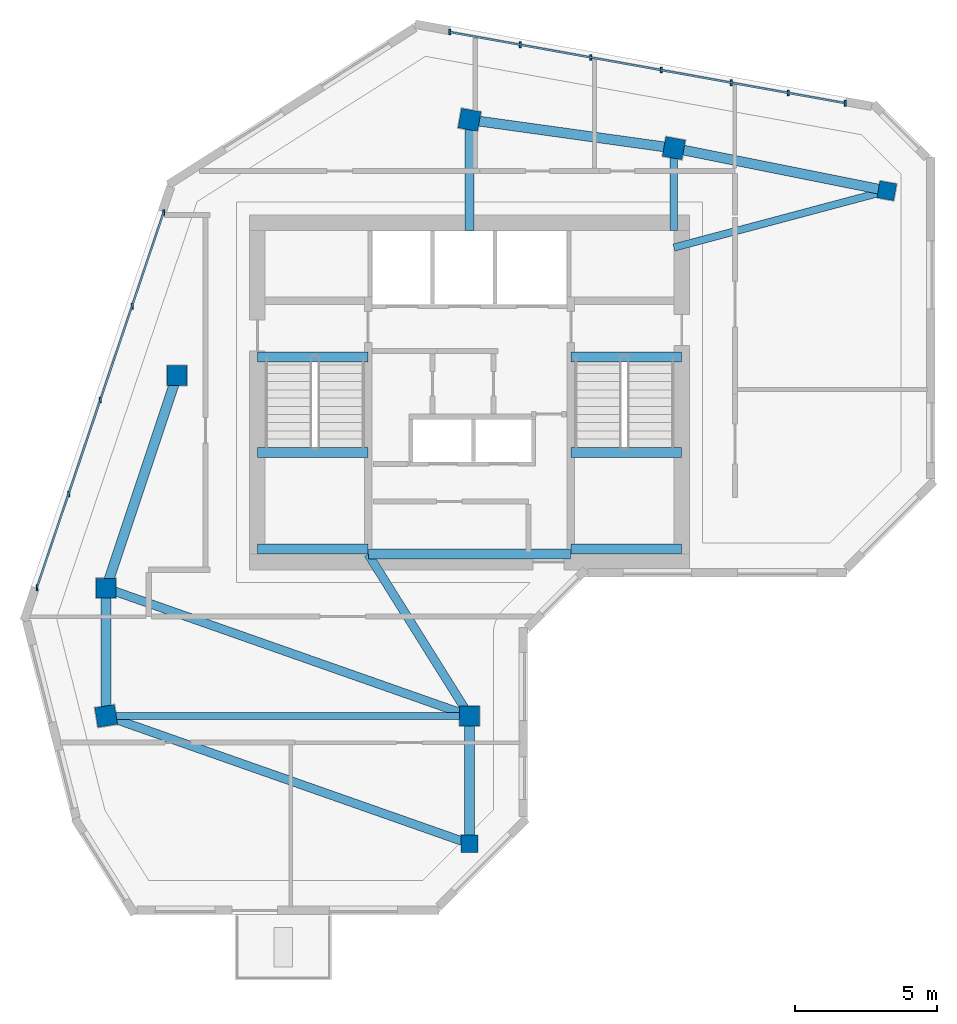
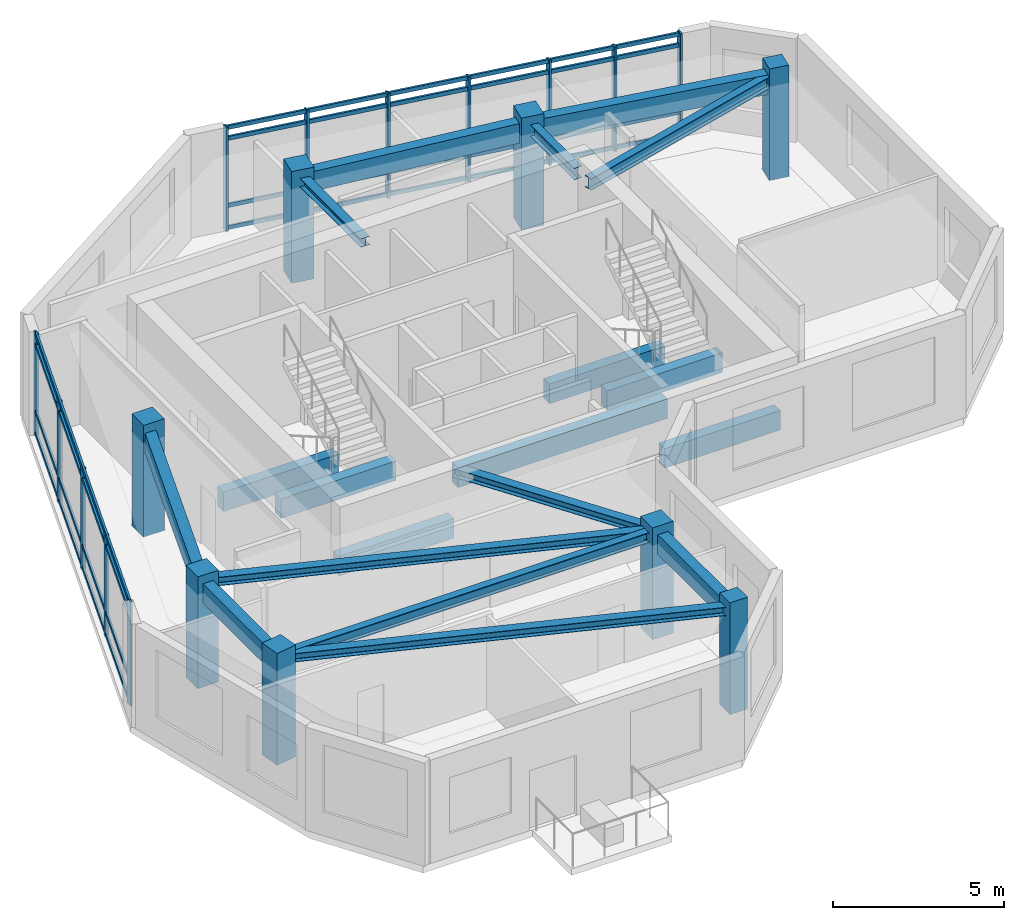
# One storey, part 1 of 8: 20 members, 19 beams, 8 columns, 2 elements without a shape of their own.
"""IFC4 building model written with IfcOpenShell, lengths in metres."""

from ifc_helpers import new_model, si_unit, direction, frame, origin, origin_2d, place, context, subcontext, project, spatial, rectangle, i_section, extrude, source, transform, mapped, material, material_profile, profile_set, type_object, element, aggregate, save


model = new_model("IFC4")

# Units and contexts
model_context = context("Model", 3, precision=1e-05, world=origin(), true_north=direction((0.0, 1.0)))
body_context = subcontext(model_context, "Body", "Model", "MODEL_VIEW")
ifc_project = project(units=[si_unit("LENGTHUNIT", "METRE"), si_unit("AREAUNIT", "SQUARE_METRE"), si_unit("VOLUMEUNIT", "CUBIC_METRE"), si_unit("PLANEANGLEUNIT", "RADIAN"), si_unit("MASSUNIT", "GRAM", prefix="KILO")], contexts=[model_context])

# Site, building, storey
site_placement = place(None, origin())
site = spatial("IfcSite", under=ifc_project, at=site_placement, CompositionType="ELEMENT")
building_placement = place(site_placement, origin())
building = spatial("IfcBuilding", under=site, at=building_placement, Name="Calvemar Wedge Station Tower", CompositionType="ELEMENT")
storey_placement = place(building_placement, frame((0.0, 0.0, 300.5)))
storey = spatial("IfcBuildingStorey", under=building, at=storey_placement, Name="L77", CompositionType="ELEMENT", Elevation=300.5)

# Columns
ifc_material_1 = material(Name="Concrete C50", Category="concrete")
ifc_material_profile_1 = material_profile(ifc_material_1, rectangle(XDim=0.699951171875, YDim=0.699951171875, at=origin_2d()), Name="RC700x700")
ifc_profile_set_1 = profile_set([ifc_material_profile_1], Name="Concrete C50")
column_type_1 = type_object("IfcColumnType", Name="COL-C7-700", PredefinedType="COLUMN", material=ifc_profile_set_1)
shared_shape_1 = source(origin(), body_context, "Body", "SweptSolid", [
    extrude(rectangle(XDim=0.699951171875, YDim=0.699951171875, at=origin_2d()), origin(), (0.0, 0.0, 1.0), 4.0),
])
for number, where, z_axis, x_axis, name in (
    (1, (11.0, 33.0, 0.0), (0.0, 0.0, 1.0), (1.0, 0.0, 0.0), "Storey L77 Column T-NW1"),
    (2, (13.5, 40.5, 0.0), (0.0, 0.0, 1.0), (1.0, 0.0, 0.0), "Storey L77 Column T-NW2"),
    (3, (23.800048828125, 49.5, 0.0), (0.0, 0.0, 1.0), (0.984195607969, -0.17708474032, 0.0), "Storey L77 Column T-N1"),
    (4, (31.0, 48.5, 0.0), (0.0, 0.0, 1.0), (0.984195607969, -0.17708474032, 0.0), "Storey L77 Column T-N2"),
    (5, (11.0, 28.5, 0.0), (0.0, 0.0, 1.0), (0.158158067254, -0.987413806751, 0.0), "Storey L77 Column T-SW1"),
    (6, (23.800048828125, 28.5, 0.0), (0.0, 0.0, 1.0), (1.0, 0.0, 0.0), "Storey L77 Column T-SE1"),
):
    element("IfcColumn", number, at=place(storey_placement, frame(where, z_axis=z_axis, x_axis=x_axis)), inside=storey, type_object=column_type_1, Name=name, PredefinedType="COLUMN", context=body_context, shape_type="MappedRepresentation", body=[
        mapped(shared_shape_1, transform((0.0, 0.0, 0.0), scale=1.0)),
    ])
ifc_material_profile_2 = material_profile(ifc_material_1, rectangle(XDim=0.60009765625, YDim=0.60009765625, at=origin_2d()), Name="RC600x600")
ifc_profile_set_2 = profile_set([ifc_material_profile_2], Name="Concrete C50")
column_type_2 = type_object("IfcColumnType", Name="COL-C8-600", PredefinedType="COLUMN", material=ifc_profile_set_2)
shared_shape_2 = source(origin(), body_context, "Body", "SweptSolid", [
    extrude(rectangle(XDim=0.60009765625, YDim=0.60009765625, at=origin_2d()), origin(), (0.0, 0.0, 1.0), 4.0),
])
for number, where, z_axis, x_axis, name in (
    (7, (38.5, 47.0, 0.0), (0.0, 0.0, 1.0), (0.984195607969, -0.17708474032, 0.0), "Storey L77 Column T-NU3"),
    (8, (23.800048828125, 24.0, 0.0), (0.0, 0.0, 1.0), (1.0, 0.0, 0.0), "Storey L77 Column T-SE2"),
):
    element("IfcColumn", number, at=place(storey_placement, frame(where, z_axis=z_axis, x_axis=x_axis)), inside=storey, type_object=column_type_2, Name=name, PredefinedType="COLUMN", context=body_context, shape_type="MappedRepresentation", body=[
        mapped(shared_shape_2, transform((0.0, 0.0, 0.0), scale=1.0)),
    ])

# Beams
ifc_material_2 = material(Name="Concrete C70", Category="concrete")
ifc_material_profile_3 = material_profile(ifc_material_2, rectangle(XDim=0.35009765625, YDim=0.699951171875, at=origin_2d()), Name="RC350x700")
ifc_profile_set_3 = profile_set([ifc_material_profile_3], Name="Concrete C70")
beam_type_1 = type_object("IfcBeamType", Name="BM-LN1-700", PredefinedType="LINTEL", material=ifc_profile_set_3)
shared_shape_3 = source(origin(), body_context, "Body", "SweptSolid", [
    extrude(rectangle(XDim=0.35009765625, YDim=0.699951171875, at=origin_2d()), origin(), (0.0, 0.0, 1.0), 7.10009765625),
])
beam_1_placement = place(storey_placement, frame((20.25, 34.199951171875, 3.35009765625), z_axis=(1.0, 0.0, 0.0), x_axis=(0.0, 1.0, 0.0)))
element("IfcBeam", 9, at=beam_1_placement, inside=storey, type_object=beam_type_1, Name="Storey L77 Core Coupling Lintel South", PredefinedType="LINTEL", context=body_context, shape_type="MappedRepresentation", body=[
    mapped(shared_shape_3, transform((0.0, 0.0, 0.0), scale=1.0)),
])
ifc_material_3 = material(Name="Structural steel ASTM A572 Grade 50", Category="steel")
ifc_material_profile_4 = material_profile(ifc_material_3, i_section(OverallWidth=0.304931640625, OverallDepth=0.30810546875, WebThickness=0.010009765625, FlangeThickness=0.015380859375, FilletRadius=0.014892578125, at=origin_2d()), Name="W310x97")
ifc_profile_set_4 = profile_set([ifc_material_profile_4], Name="Structural steel ASTM A572 Grade 50")
beam_type_2 = type_object("IfcBeamType", Name="BM-J6-W310", PredefinedType="JOIST", material=ifc_profile_set_4)
shared_shape_4 = source(origin(), body_context, "Body", "SweptSolid", [
    extrude(i_section(OverallWidth=0.304931640625, OverallDepth=0.30810546875, WebThickness=0.010009765625, FlangeThickness=0.015380859375, FilletRadius=0.014892578125, at=origin_2d()), origin(), (0.0, 0.0, 1.0), 13.568115234375),
])
for number, where, z_axis, x_axis, name in (
    (10, (11.0, 33.0, 3.5458984375), (0.943398221169, -0.331662171939, 0.0), (0.331662171939, 0.943398221169, 0.0), "Storey L77 Floor Beam T-NW1-T-SE1"),
    (11, (11.0, 28.5, 3.5458984375), (0.943398221169, -0.331662171939, 0.0), (0.331662171939, 0.943398221169, 0.0), "Storey L77 Floor Beam T-SW1-T-SE2"),
):
    element("IfcBeam", number, at=place(storey_placement, frame(where, z_axis=z_axis, x_axis=x_axis)), inside=storey, type_object=beam_type_2, Name=name, PredefinedType="JOIST", context=body_context, shape_type="MappedRepresentation", body=[
        mapped(shared_shape_4, transform((0.0, 0.0, 0.0), scale=1.0)),
    ])
ifc_material_profile_5 = material_profile(ifc_material_3, i_section(OverallWidth=0.260986328125, OverallDepth=0.419921875, WebThickness=0.01171875, FlangeThickness=0.019287109375, FilletRadius=0.012939453125, at=origin_2d()), Name="W410x114")
ifc_profile_set_5 = profile_set([ifc_material_profile_5], Name="Structural steel ASTM A572 Grade 50")
beam_type_3 = type_object("IfcBeamType", Name="BM-J2-W410H", PredefinedType="JOIST", material=ifc_profile_set_5)
shared_shape_5 = source(origin(), body_context, "Body", "SweptSolid", [
    extrude(i_section(OverallWidth=0.260986328125, OverallDepth=0.419921875, WebThickness=0.01171875, FlangeThickness=0.019287109375, FilletRadius=0.012939453125, at=origin_2d()), origin(), (0.0, 0.0, 1.0), 7.76220703125),
])
beam_2_placement = place(storey_placement, frame((31.0, 45.0, 3.489990234375), z_axis=(0.966234939601, 0.25766265056, 0.0), x_axis=(-0.25766265056, 0.966234939601, 0.0)))
element("IfcBeam", 12, at=beam_2_placement, inside=storey, type_object=beam_type_3, Name="Storey L77 Core-to-Column Joist CJ-E2", PredefinedType="JOIST", context=body_context, shape_type="MappedRepresentation", body=[
    mapped(shared_shape_5, transform((0.0, 0.0, 0.0), scale=1.0)),
])
shared_shape_6 = source(origin(), body_context, "Body", "SweptSolid", [
    extrude(i_section(OverallWidth=0.304931640625, OverallDepth=0.30810546875, WebThickness=0.010009765625, FlangeThickness=0.015380859375, FilletRadius=0.014892578125, at=origin_2d()), origin(), (0.0, 0.0, 1.0), 3.89990234375),
])
beam_3_placement = place(storey_placement, frame((23.800048828125, 45.60009765625, 3.5458984375), z_axis=(0.0, 1.0, 0.0), x_axis=(-1.0, 0.0, 0.0)))
element("IfcBeam", 13, at=beam_3_placement, inside=storey, type_object=beam_type_2, Name="Storey L77 Core-to-Column Joist CJ-N1", PredefinedType="JOIST", context=body_context, shape_type="MappedRepresentation", body=[
    mapped(shared_shape_6, transform((0.0, 0.0, 0.0), scale=1.0)),
])
shared_shape_7 = source(origin(), body_context, "Body", "SweptSolid", [
    extrude(i_section(OverallWidth=0.260986328125, OverallDepth=0.419921875, WebThickness=0.01171875, FlangeThickness=0.019287109375, FilletRadius=0.012939453125, at=origin_2d()), origin(), (0.0, 0.0, 1.0), 2.89990234375),
])
beam_4_placement = place(storey_placement, frame((31.0, 45.60009765625, 3.489990234375), z_axis=(0.0, 1.0, 0.0), x_axis=(-1.0, 0.0, 0.0)))
element("IfcBeam", 14, at=beam_4_placement, inside=storey, type_object=beam_type_3, Name="Storey L77 Core-to-Column Joist CJ-N2", PredefinedType="JOIST", context=body_context, shape_type="MappedRepresentation", body=[
    mapped(shared_shape_7, transform((0.0, 0.0, 0.0), scale=1.0)),
])
shared_shape_8 = source(origin(), body_context, "Body", "SweptSolid", [
    extrude(i_section(OverallWidth=0.304931640625, OverallDepth=0.30810546875, WebThickness=0.010009765625, FlangeThickness=0.015380859375, FilletRadius=0.014892578125, at=origin_2d()), origin(), (0.0, 0.0, 1.0), 6.7255859375),
])
beam_5_placement = place(storey_placement, frame((20.22998046875, 34.199951171875, 3.5458984375), z_axis=(0.530811158438, -0.847490126242, 0.0), x_axis=(0.847490126242, 0.530811158438, 0.0)))
element("IfcBeam", 15, at=beam_5_placement, inside=storey, type_object=beam_type_2, Name="Storey L77 Core-to-Column Joist CJ-S2", PredefinedType="JOIST", context=body_context, shape_type="MappedRepresentation", body=[
    mapped(shared_shape_8, transform((0.0, 0.0, 0.0), scale=1.0)),
])
ifc_material_profile_6 = material_profile(ifc_material_1, rectangle(XDim=0.35009765625, YDim=0.699951171875, at=origin_2d()), Name="RC350x700")
ifc_profile_set_6 = profile_set([ifc_material_profile_6], Name="Concrete C50")
beam_type_4 = type_object("IfcBeamType", Name="BM-SP2-700", PredefinedType="SPANDREL", material=ifc_profile_set_6)
shared_shape_9 = source(origin(), body_context, "Body", "SweptSolid", [
    extrude(rectangle(XDim=0.35009765625, YDim=0.699951171875, at=origin_2d()), origin(), (0.0, 0.0, 1.0), 7.90576171875),
])
beam_6_placement = place(storey_placement, frame((11.0, 33.0, 3.35009765625), z_axis=(0.316227766017, 0.948683298051, 0.0), x_axis=(-0.948683298051, 0.316227766017, 0.0)))
element("IfcBeam", 16, at=beam_6_placement, inside=storey, type_object=beam_type_4, Name="Storey L77 Spandrel T-NW1-T-NW2", PredefinedType="SPANDREL", context=body_context, shape_type="MappedRepresentation", body=[
    mapped(shared_shape_9, transform((0.0, 0.0, 0.0), scale=1.0)),
])
shared_shape_10 = source(origin(), body_context, "Body", "SweptSolid", [
    extrude(rectangle(XDim=0.35009765625, YDim=0.699951171875, at=origin_2d()), origin(), (0.0, 0.0, 1.0), 7.26904296875),
])
beam_7_placement = place(storey_placement, frame((23.800048828125, 49.5, 3.35009765625), z_axis=(0.990492146053, -0.13756928657, 0.0), x_axis=(0.13756928657, 0.990492146053, 0.0)))
element("IfcBeam", 17, at=beam_7_placement, inside=storey, type_object=beam_type_4, Name="Storey L77 Spandrel T-N1-T-N2", PredefinedType="SPANDREL", context=body_context, shape_type="MappedRepresentation", body=[
    mapped(shared_shape_10, transform((0.0, 0.0, 0.0), scale=1.0)),
])
shared_shape_11 = source(origin(), body_context, "Body", "SweptSolid", [
    extrude(rectangle(XDim=0.35009765625, YDim=0.699951171875, at=origin_2d()), origin(), (0.0, 0.0, 1.0), 7.6484375),
])
beam_8_placement = place(storey_placement, frame((31.0, 48.5, 3.35009765625), z_axis=(0.980580675691, -0.196116135138, 0.0), x_axis=(0.196116135138, 0.980580675691, 0.0)))
element("IfcBeam", 18, at=beam_8_placement, inside=storey, type_object=beam_type_4, Name="Storey L77 Spandrel T-N2-T-NU3", PredefinedType="SPANDREL", context=body_context, shape_type="MappedRepresentation", body=[
    mapped(shared_shape_11, transform((0.0, 0.0, 0.0), scale=1.0)),
])
shared_shape_12 = source(origin(), body_context, "Body", "SweptSolid", [
    extrude(rectangle(XDim=0.35009765625, YDim=0.699951171875, at=origin_2d()), origin(), (0.0, 0.0, 1.0), 4.5),
])
for number, where, z_axis, x_axis, name in (
    (19, (11.0, 33.0, 3.35009765625), (0.0, -1.0, 0.0), (1.0, 0.0, 0.0), "Storey L77 Spandrel T-NW1-T-SW1"),
    (20, (23.800048828125, 28.5, 3.35009765625), (0.0, -1.0, 0.0), (1.0, 0.0, 0.0), "Storey L77 Spandrel T-SE1-T-SE2"),
):
    element("IfcBeam", number, at=place(storey_placement, frame(where, z_axis=z_axis, x_axis=x_axis)), inside=storey, type_object=beam_type_4, Name=name, PredefinedType="SPANDREL", context=body_context, shape_type="MappedRepresentation", body=[
        mapped(shared_shape_12, transform((0.0, 0.0, 0.0), scale=1.0)),
    ])
shared_shape_13 = source(origin(), body_context, "Body", "SweptSolid", [
    extrude(rectangle(XDim=0.35009765625, YDim=0.699951171875, at=origin_2d()), origin(), (0.0, 0.0, 1.0), 3.905029296875),
])
for number, where, z_axis, x_axis, name in (
    (21, (16.324951171875, 41.14990234375, -0.35009765625), (1.0, 0.0, 0.0), (0.0, 1.0, 0.0), "Storey L77 Stair ST-C1 Landing Trimmer Beam"),
    (22, (16.324951171875, 34.3798828125, 1.449951171875), (1.0, 0.0, 0.0), (0.0, 1.0, 0.0), "Storey L77 Stair ST-C1 Half-Landing Beam 1A"),
    (23, (16.324951171875, 37.780029296875, 1.449951171875), (1.0, 0.0, 0.0), (0.0, 1.0, 0.0), "Storey L77 Stair ST-C1 Half-Landing Beam 1B"),
):
    element("IfcBeam", number, at=place(storey_placement, frame(where, z_axis=z_axis, x_axis=x_axis)), inside=storey, type_object=beam_type_1, Name=name, PredefinedType="LINTEL", context=body_context, shape_type="MappedRepresentation", body=[
        mapped(shared_shape_13, transform((0.0, 0.0, 0.0), scale=1.0)),
    ])
shared_shape_14 = source(origin(), body_context, "Body", "SweptSolid", [
    extrude(rectangle(XDim=0.35009765625, YDim=0.699951171875, at=origin_2d()), origin(), (0.0, 0.0, 1.0), 3.90478515625),
])
for number, where, z_axis, x_axis, name in (
    (24, (27.3701171875, 41.14990234375, -0.35009765625), (1.0, 0.0, 0.0), (0.0, 1.0, 0.0), "Storey L77 Stair ST-C2 Landing Trimmer Beam"),
    (25, (27.3701171875, 34.3798828125, 1.449951171875), (1.0, 0.0, 0.0), (0.0, 1.0, 0.0), "Storey L77 Stair ST-C2 Half-Landing Beam 1A"),
    (26, (27.3701171875, 37.780029296875, 1.449951171875), (1.0, 0.0, 0.0), (0.0, 1.0, 0.0), "Storey L77 Stair ST-C2 Half-Landing Beam 1B"),
):
    element("IfcBeam", number, at=place(storey_placement, frame(where, z_axis=z_axis, x_axis=x_axis)), inside=storey, type_object=beam_type_1, Name=name, PredefinedType="LINTEL", context=body_context, shape_type="MappedRepresentation", body=[
        mapped(shared_shape_14, transform((0.0, 0.0, 0.0), scale=1.0)),
    ])
ifc_material_profile_7 = material_profile(ifc_material_3, i_section(OverallWidth=0.257080078125, OverallDepth=0.363037109375, WebThickness=0.012939453125, FlangeThickness=0.021728515625, FilletRadius=0.014892578125, at=origin_2d()), Name="W360x122")
ifc_profile_set_7 = profile_set([ifc_material_profile_7], Name="Structural steel ASTM A572 Grade 50")
beam_type_5 = type_object("IfcBeamType", Name="BM-J4-W360", PredefinedType="JOIST", material=ifc_profile_set_7)
shared_shape_15 = source(origin(), body_context, "Body", "SweptSolid", [
    extrude(i_section(OverallWidth=0.257080078125, OverallDepth=0.363037109375, WebThickness=0.012939453125, FlangeThickness=0.021728515625, FilletRadius=0.014892578125, at=origin_2d()), origin(), (0.0, 0.0, 1.0), 12.800048828125),
])
beam_9_placement = place(storey_placement, frame((11.0, 28.5, 3.5185546875), z_axis=(1.0, 0.0, 0.0), x_axis=(0.0, 1.0, 0.0)))
element("IfcBeam", 27, at=beam_9_placement, inside=storey, type_object=beam_type_5, Name="Storey L77 Floor Beam T-SW1-T-SE1", PredefinedType="JOIST", context=body_context, shape_type="MappedRepresentation", body=[
    mapped(shared_shape_15, transform((0.0, 0.0, 0.0), scale=1.0)),
])

# Curtain wall, members
ifc_material_4 = material(Name="Anodised aluminium 6063-T6", Category="aluminium")
curtain_wall_type = type_object("IfcCurtainWallType", Name="CW4", PredefinedType="NOTDEFINED", material=ifc_material_4)
curtain_wall_1_placement = place(storey_placement, origin())
curtain_wall_1 = element("IfcCurtainWall", 28, at=curtain_wall_1_placement, inside=storey, type_object=curtain_wall_type, Name="Storey L77 CW4 Recessed Unitised Curtain Wall 10", PredefinedType="NOTDEFINED")
ifc_material_profile_8 = material_profile(ifc_material_4, rectangle(XDim=0.070068359375, YDim=0.139892578125, at=origin_2d()), Name="AL-TRN-70x140")
ifc_profile_set_8 = profile_set([ifc_material_profile_8], Name="Anodised aluminium 6063-T6")
member_type_1 = type_object("IfcMemberType", Name="CW4-TRN", PredefinedType="USERDEFINED", material=ifc_profile_set_8)
shared_shape_16 = source(origin(), body_context, "Body", "SweptSolid", [
    extrude(rectangle(XDim=0.070068359375, YDim=0.139892578125, at=origin_2d()), origin(), (0.0, 0.0, 1.0), 14.154296875),
])
member_1_placement = place(storey_placement, frame((37.033935546875, 50.084228515625, 0.06005859375), z_axis=(-0.984225338595, 0.17691942479, 0.0), x_axis=(-0.17691942479, -0.984225338595, 0.0)))
member_1 = element("IfcMember", 29, at=member_1_placement, type_object=member_type_1, Name="CW4 transom 1", ObjectType="TRANSOM", PredefinedType="USERDEFINED", context=body_context, shape_type="MappedRepresentation", body=[
    mapped(shared_shape_16, transform((0.0, 0.0, 0.0), scale=1.0)),
])
member_2_placement = place(storey_placement, frame((37.033935546875, 50.084228515625, 0.85009765625), z_axis=(-0.984225338595, 0.17691942479, 0.0), x_axis=(-0.17691942479, -0.984225338595, 0.0)))
member_2 = element("IfcMember", 30, at=member_2_placement, type_object=member_type_1, Name="CW4 transom 2", ObjectType="TRANSOM", PredefinedType="USERDEFINED", context=body_context, shape_type="MappedRepresentation", body=[
    mapped(shared_shape_16, transform((0.0, 0.0, 0.0), scale=1.0)),
])
member_3_placement = place(storey_placement, frame((37.033935546875, 50.084228515625, 3.25), z_axis=(-0.984225338595, 0.17691942479, 0.0), x_axis=(-0.17691942479, -0.984225338595, 0.0)))
member_3 = element("IfcMember", 31, at=member_3_placement, type_object=member_type_1, Name="CW4 transom 3", ObjectType="TRANSOM", PredefinedType="USERDEFINED", context=body_context, shape_type="MappedRepresentation", body=[
    mapped(shared_shape_16, transform((0.0, 0.0, 0.0), scale=1.0)),
])
member_4_placement = place(storey_placement, frame((37.033935546875, 50.084228515625, 3.639892578125), z_axis=(-0.984225338595, 0.17691942479, 0.0), x_axis=(-0.17691942479, -0.984225338595, 0.0)))
member_4 = element("IfcMember", 32, at=member_4_placement, type_object=member_type_1, Name="CW4 transom 4", ObjectType="TRANSOM", PredefinedType="USERDEFINED", context=body_context, shape_type="MappedRepresentation", body=[
    mapped(shared_shape_16, transform((0.0, 0.0, 0.0), scale=1.0)),
])

curtain_wall_2_placement = place(storey_placement, origin())
curtain_wall_2 = element("IfcCurtainWall", 33, at=curtain_wall_2_placement, inside=storey, type_object=curtain_wall_type, Name="Storey L77 CW4 Recessed Unitised Curtain Wall 12", PredefinedType="NOTDEFINED")
shared_shape_17 = source(origin(), body_context, "Body", "SweptSolid", [
    extrude(rectangle(XDim=0.070068359375, YDim=0.139892578125, at=origin_2d()), origin(), (0.0, 0.0, 1.0), 13.95703125),
])
member_5_placement = place(storey_placement, frame((13.030029296875, 46.240478515625, 0.06005859375), z_axis=(-0.319914475782, -0.947446424968, 0.0), x_axis=(0.947446424968, -0.319914475782, 0.0)))
member_5 = element("IfcMember", 34, at=member_5_placement, type_object=member_type_1, Name="CW4 transom 1", ObjectType="TRANSOM", PredefinedType="USERDEFINED", context=body_context, shape_type="MappedRepresentation", body=[
    mapped(shared_shape_17, transform((0.0, 0.0, 0.0), scale=1.0)),
])
member_6_placement = place(storey_placement, frame((13.030029296875, 46.240478515625, 0.85009765625), z_axis=(-0.319914475782, -0.947446424968, 0.0), x_axis=(0.947446424968, -0.319914475782, 0.0)))
member_6 = element("IfcMember", 35, at=member_6_placement, type_object=member_type_1, Name="CW4 transom 2", ObjectType="TRANSOM", PredefinedType="USERDEFINED", context=body_context, shape_type="MappedRepresentation", body=[
    mapped(shared_shape_17, transform((0.0, 0.0, 0.0), scale=1.0)),
])
member_7_placement = place(storey_placement, frame((13.030029296875, 46.240478515625, 3.25), z_axis=(-0.319914475782, -0.947446424968, 0.0), x_axis=(0.947446424968, -0.319914475782, 0.0)))
member_7 = element("IfcMember", 36, at=member_7_placement, type_object=member_type_1, Name="CW4 transom 3", ObjectType="TRANSOM", PredefinedType="USERDEFINED", context=body_context, shape_type="MappedRepresentation", body=[
    mapped(shared_shape_17, transform((0.0, 0.0, 0.0), scale=1.0)),
])
member_8_placement = place(storey_placement, frame((13.030029296875, 46.240478515625, 3.639892578125), z_axis=(-0.319914475782, -0.947446424968, 0.0), x_axis=(0.947446424968, -0.319914475782, 0.0)))
member_8 = element("IfcMember", 37, at=member_8_placement, type_object=member_type_1, Name="CW4 transom 4", ObjectType="TRANSOM", PredefinedType="USERDEFINED", context=body_context, shape_type="MappedRepresentation", body=[
    mapped(shared_shape_17, transform((0.0, 0.0, 0.0), scale=1.0)),
])

# Member
ifc_material_profile_9 = material_profile(ifc_material_4, rectangle(XDim=0.070068359375, YDim=0.199951171875, at=origin_2d()), Name="AL-MUL-70x200")
ifc_profile_set_9 = profile_set([ifc_material_profile_9], Name="Anodised aluminium 6063-T6")
member_type_2 = type_object("IfcMemberType", Name="CW4-MUL", PredefinedType="MULLION", material=ifc_profile_set_9)
shared_shape_18 = source(origin(), body_context, "Body", "SweptSolid", [
    extrude(rectangle(XDim=0.070068359375, YDim=0.199951171875, at=origin_2d()), origin(), (0.0, 0.0, 1.0), 3.75),
])
member_9_placement = place(storey_placement, frame((37.033935546875, 50.084228515625, -0.050048828125), z_axis=(0.0, 0.0, 1.0), x_axis=(1.0, 0.0, 0.0)))
member_9 = element("IfcMember", 38, at=member_9_placement, type_object=member_type_2, Name="CW4 mullion 1", PredefinedType="MULLION", context=body_context, shape_type="MappedRepresentation", body=[
    mapped(shared_shape_18, transform((0.0, 0.0, 0.0), scale=1.0)),
])

member_10_placement = place(storey_placement, frame((35.02783203125, 50.44482421875, -0.050048828125), z_axis=(0.0, 0.0, 1.0), x_axis=(1.0, 0.0, 0.0)))
member_10 = element("IfcMember", 39, at=member_10_placement, type_object=member_type_2, Name="CW4 mullion 2", PredefinedType="MULLION", context=body_context, shape_type="MappedRepresentation", body=[
    mapped(shared_shape_18, transform((0.0, 0.0, 0.0), scale=1.0)),
])

member_11_placement = place(storey_placement, frame((33.02197265625, 50.805419921875, -0.050048828125), z_axis=(0.0, 0.0, 1.0), x_axis=(1.0, 0.0, 0.0)))
member_11 = element("IfcMember", 40, at=member_11_placement, type_object=member_type_2, Name="CW4 mullion 3", PredefinedType="MULLION", context=body_context, shape_type="MappedRepresentation", body=[
    mapped(shared_shape_18, transform((0.0, 0.0, 0.0), scale=1.0)),
])

member_12_placement = place(storey_placement, frame((30.546875, 51.250244140625, -0.050048828125), z_axis=(0.0, 0.0, 1.0), x_axis=(1.0, 0.0, 0.0)))
member_12 = element("IfcMember", 41, at=member_12_placement, type_object=member_type_2, Name="CW4 mullion 4", PredefinedType="MULLION", context=body_context, shape_type="MappedRepresentation", body=[
    mapped(shared_shape_18, transform((0.0, 0.0, 0.0), scale=1.0)),
])

member_13_placement = place(storey_placement, frame((28.072021484375, 51.695068359375, -0.050048828125), z_axis=(0.0, 0.0, 1.0), x_axis=(1.0, 0.0, 0.0)))
member_13 = element("IfcMember", 42, at=member_13_placement, type_object=member_type_2, Name="CW4 mullion 5", PredefinedType="MULLION", context=body_context, shape_type="MappedRepresentation", body=[
    mapped(shared_shape_18, transform((0.0, 0.0, 0.0), scale=1.0)),
])

member_14_placement = place(storey_placement, frame((25.587646484375, 52.1416015625, -0.050048828125), z_axis=(0.0, 0.0, 1.0), x_axis=(1.0, 0.0, 0.0)))
member_14 = element("IfcMember", 43, at=member_14_placement, type_object=member_type_2, Name="CW4 mullion 6", PredefinedType="MULLION", context=body_context, shape_type="MappedRepresentation", body=[
    mapped(shared_shape_18, transform((0.0, 0.0, 0.0), scale=1.0)),
])

member_15_placement = place(storey_placement, frame((23.10302734375, 52.58837890625, -0.050048828125), z_axis=(0.0, 0.0, 1.0), x_axis=(1.0, 0.0, 0.0)))
member_15 = element("IfcMember", 44, at=member_15_placement, type_object=member_type_2, Name="CW4 mullion 7", PredefinedType="MULLION", context=body_context, shape_type="MappedRepresentation", body=[
    mapped(shared_shape_18, transform((0.0, 0.0, 0.0), scale=1.0)),
])

aggregate(curtain_wall_1, [member_9, member_10, member_11, member_12, member_13, member_14, member_15, member_1, member_2, member_3, member_4])

member_16_placement = place(storey_placement, frame((13.030029296875, 46.240478515625, -0.050048828125), z_axis=(0.0, 0.0, 1.0), x_axis=(1.0, 0.0, 0.0)))
member_16 = element("IfcMember", 45, at=member_16_placement, type_object=member_type_2, Name="CW4 mullion 1", PredefinedType="MULLION", context=body_context, shape_type="MappedRepresentation", body=[
    mapped(shared_shape_18, transform((0.0, 0.0, 0.0), scale=1.0)),
])

member_17_placement = place(storey_placement, frame((11.913818359375, 42.9345703125, -0.050048828125), z_axis=(0.0, 0.0, 1.0), x_axis=(1.0, 0.0, 0.0)))
member_17 = element("IfcMember", 46, at=member_17_placement, type_object=member_type_2, Name="CW4 mullion 2", PredefinedType="MULLION", context=body_context, shape_type="MappedRepresentation", body=[
    mapped(shared_shape_18, transform((0.0, 0.0, 0.0), scale=1.0)),
])

member_18_placement = place(storey_placement, frame((10.797607421875, 39.628662109375, -0.050048828125), z_axis=(0.0, 0.0, 1.0), x_axis=(1.0, 0.0, 0.0)))
member_18 = element("IfcMember", 47, at=member_18_placement, type_object=member_type_2, Name="CW4 mullion 3", PredefinedType="MULLION", context=body_context, shape_type="MappedRepresentation", body=[
    mapped(shared_shape_18, transform((0.0, 0.0, 0.0), scale=1.0)),
])

member_19_placement = place(storey_placement, frame((9.681396484375, 36.32275390625, -0.050048828125), z_axis=(0.0, 0.0, 1.0), x_axis=(1.0, 0.0, 0.0)))
member_19 = element("IfcMember", 48, at=member_19_placement, type_object=member_type_2, Name="CW4 mullion 4", PredefinedType="MULLION", context=body_context, shape_type="MappedRepresentation", body=[
    mapped(shared_shape_18, transform((0.0, 0.0, 0.0), scale=1.0)),
])

member_20_placement = place(storey_placement, frame((8.56494140625, 33.016845703125, -0.050048828125), z_axis=(0.0, 0.0, 1.0), x_axis=(1.0, 0.0, 0.0)))
member_20 = element("IfcMember", 49, at=member_20_placement, type_object=member_type_2, Name="CW4 mullion 5", PredefinedType="MULLION", context=body_context, shape_type="MappedRepresentation", body=[
    mapped(shared_shape_18, transform((0.0, 0.0, 0.0), scale=1.0)),
])

aggregate(curtain_wall_2, [member_16, member_17, member_18, member_19, member_20, member_5, member_6, member_7, member_8])

save(model, "model.ifc")
